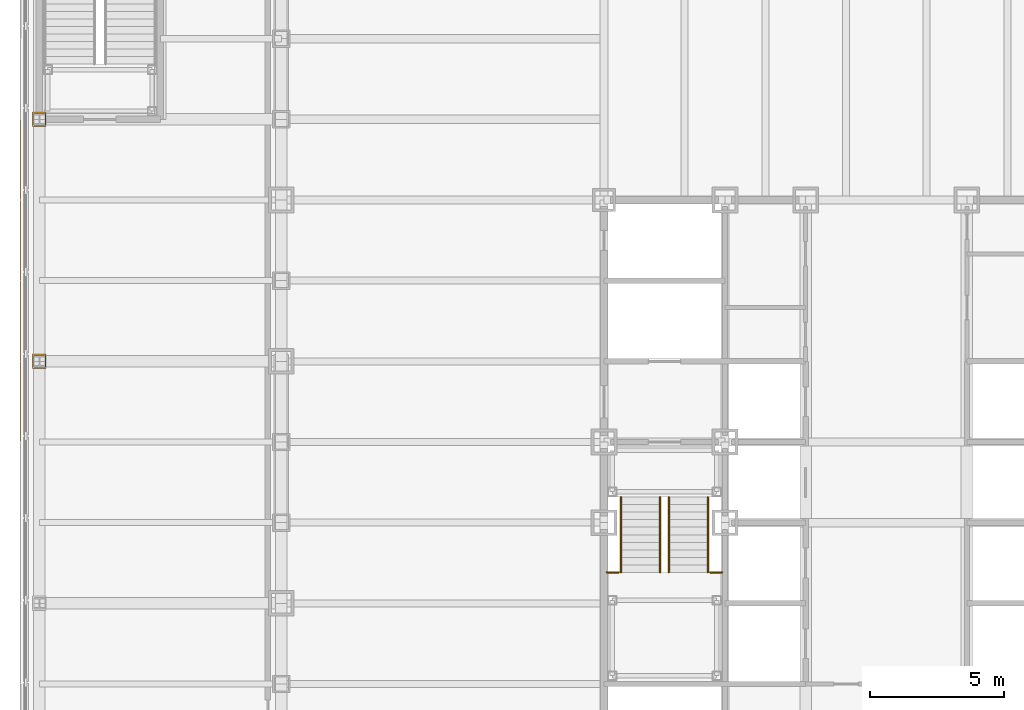
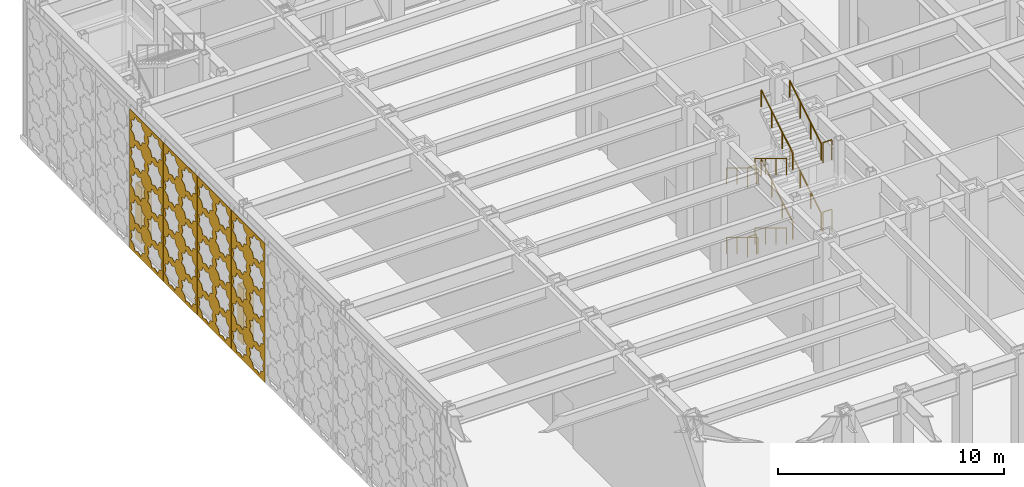
# One storey, part 28 of 34: 12 railings, 4 shading devices, 2 coverings.
"""IFC4 building model written with IfcOpenShell, lengths in metres."""

from ifc_helpers import new_model, si_unit, direction, frame, origin, origin_2d, place, context, subcontext, project, spatial, polyline, circle, outline, extrude, material, layer, layer_set, type_object, element, save


model = new_model("IFC4")

# Units and contexts
model_context = context("Model", 3, precision=1e-05, world=origin(), true_north=direction((0.0, 1.0)))
body_context = subcontext(model_context, "Body", "Model", "MODEL_VIEW")
ifc_project = project(units=[si_unit("LENGTHUNIT", "METRE"), si_unit("AREAUNIT", "SQUARE_METRE"), si_unit("VOLUMEUNIT", "CUBIC_METRE"), si_unit("PLANEANGLEUNIT", "RADIAN"), si_unit("MASSUNIT", "GRAM", prefix="KILO")], contexts=[model_context])

# Site, building, storey
site_placement = place(None, origin())
site = spatial("IfcSite", under=ifc_project, at=site_placement, CompositionType="ELEMENT")
building_placement = place(site_placement, origin())
building = spatial("IfcBuilding", under=site, at=building_placement, Name="Chuquiago Exchange Tower", CompositionType="ELEMENT")
storey_placement = place(building_placement, frame((0.0, 0.0, 6.0)))
storey = spatial("IfcBuildingStorey", under=building, at=storey_placement, Name="L01", CompositionType="ELEMENT", Elevation=6.0)

# Coverings
ifc_material_1 = material(Name="Pale metal sheet casing on rails", Category="aluminium")
ifc_layer_1 = layer(ifc_material_1, 0.050048828125)
ifc_layer_set_1 = layer_set([ifc_layer_1], Name="CS1 column casing 50")
covering_type = type_object("IfcCoveringType", Name="CS1 column casing 50", PredefinedType="CLADDING", material=ifc_layer_set_1)
covering_1_placement = place(storey_placement, origin())
element("IfcCovering", 1, at=covering_1_placement, inside=storey, type_object=covering_type, Name="Column casing L01", PredefinedType="CLADDING", context=body_context, shape_type="SweptSolid", body=[
    extrude(outline(polyline([(-9.255615234375, 26.73291015625), (-8.744384765625, 26.73291015625), (-8.744384765625, 27.26708984375), (-9.255615234375, 27.26708984375), (-9.255615234375, 26.73291015625)]), holes=[polyline([(-9.205810546875, 26.78271484375), (-9.205810546875, 27.21728515625), (-8.794189453125, 27.21728515625), (-8.794189453125, 26.78271484375), (-9.205810546875, 26.78271484375)])]), origin(), (0.0, 0.0, 1.0), 3.0),
])
covering_2_placement = place(storey_placement, origin())
element("IfcCovering", 2, at=covering_2_placement, inside=storey, type_object=covering_type, Name="Column casing L01", PredefinedType="CLADDING", context=body_context, shape_type="SweptSolid", body=[
    extrude(outline(polyline([(-9.255615234375, 35.73291015625), (-8.744384765625, 35.73291015625), (-8.744384765625, 36.26708984375), (-9.255615234375, 36.26708984375), (-9.255615234375, 35.73291015625)]), holes=[polyline([(-9.205810546875, 35.78271484375), (-9.205810546875, 36.21728515625), (-8.794189453125, 36.21728515625), (-8.794189453125, 35.78271484375), (-9.205810546875, 35.78271484375)])]), origin(), (0.0, 0.0, 1.0), 3.0),
])

# Railings
ifc_material_2 = material(Name="Pale metal guard with safety glass infill", Category="glass")
railing_type_1 = type_object("IfcRailingType", Name="GR1 guard 1100", PredefinedType="GUARDRAIL", material=ifc_material_2)
for number, where, name in (
    (3, (12.10009765625, 19.14990234375, 1.875), "Guard ST1 L01 landing 2"),
    (4, (15.945068359375, 19.14990234375, 1.875), "Guard ST1 L01 landing 2"),
    (5, (12.10009765625, 19.14990234375, 5.625), "Guard ST1 L01 landing 4"),
    (6, (15.945068359375, 19.14990234375, 5.625), "Guard ST1 L01 landing 4"),
):
    element("IfcRailing", number, at=place(storey_placement, frame(where)), inside=storey, type_object=railing_type_1, Name=name, PredefinedType="GUARDRAIL", context=body_context, shape_type="SweptSolid", body=[
        extrude(circle(Radius=0.02392578125, at=origin_2d()), frame((0.0, 0.0, 1.076171875), z_axis=(1.0, 0.0, 0.0), x_axis=(0.0, 1.0, 0.0)), (0.0, 0.0, 1.0), 0.454833984375),
        extrude(circle(Radius=0.02099609375, at=origin_2d()), origin(), (0.0, 0.0, 1.0), 1.052001953125),
        extrude(circle(Radius=0.02099609375, at=origin_2d()), frame((0.454833984375, 0.0, 0.0)), (0.0, 0.0, 1.0), 1.052001953125),
    ])
ifc_material_3 = material(Name="Pale metal handrail", Category="steel")
railing_type_2 = type_object("IfcRailingType", Name="HR1 handrail 900", PredefinedType="HANDRAIL", material=ifc_material_3)
for number, where, name in (
    (7, (12.635009765625, 21.949951171875, 0.17041015625), "Handrail ST1 L01 flight 1"),
    (8, (14.0849609375, 21.949951171875, 0.17041015625), "Handrail ST1 L01 flight 1"),
):
    element("IfcRailing", number, at=place(storey_placement, frame(where)), inside=storey, type_object=railing_type_2, Name=name, PredefinedType="HANDRAIL", context=body_context, shape_type="SweptSolid", body=[
        extrude(circle(Radius=0.02392578125, at=origin_2d()), frame((0.0, 0.0, 0.8759765625), z_axis=(0.0, -0.854169791009, 0.51999420009), x_axis=(1.0, 0.0, 0.0)), (0.0, 0.0, 1.0), 3.278076171875),
        extrude(circle(Radius=0.02099609375, at=origin_2d()), origin(), (0.0, 0.0, 1.0), 0.851806640625),
        extrude(circle(Radius=0.02099609375, at=origin_2d()), frame((0.0, -0.933349609375, 0.568115234375)), (0.0, 0.0, 1.0), 0.851806640625),
        extrude(circle(Radius=0.02099609375, at=origin_2d()), frame((0.0, -1.86669921875, 1.136474609375)), (0.0, 0.0, 1.0), 0.851806640625),
        extrude(circle(Radius=0.02099609375, at=origin_2d()), frame((0.0, -2.800048828125, 1.70458984375)), (0.0, 0.0, 1.0), 0.851806640625),
    ])
for number, where, name in (
    (9, (15.864990234375, 19.14990234375, 2.04541015625), "Handrail ST1 L01 flight 2"),
    (10, (14.4150390625, 19.14990234375, 2.04541015625), "Handrail ST1 L01 flight 2"),
):
    element("IfcRailing", number, at=place(storey_placement, frame(where)), inside=storey, type_object=railing_type_2, Name=name, PredefinedType="HANDRAIL", context=body_context, shape_type="SweptSolid", body=[
        extrude(circle(Radius=0.02392578125, at=origin_2d()), frame((0.0, 0.0, 0.8759765625), z_axis=(0.0, 0.854169791009, 0.51999420009), x_axis=(-1.0, 0.0, 0.0)), (0.0, 0.0, 1.0), 3.278076171875),
        extrude(circle(Radius=0.02099609375, at=origin_2d()), origin(), (0.0, 0.0, 1.0), 0.851806640625),
        extrude(circle(Radius=0.02099609375, at=origin_2d()), frame((0.0, 0.933349609375, 0.568115234375)), (0.0, 0.0, 1.0), 0.851806640625),
        extrude(circle(Radius=0.02099609375, at=origin_2d()), frame((0.0, 1.86669921875, 1.136474609375)), (0.0, 0.0, 1.0), 0.851806640625),
        extrude(circle(Radius=0.02099609375, at=origin_2d()), frame((0.0, 2.800048828125, 1.70458984375)), (0.0, 0.0, 1.0), 0.851806640625),
    ])
for number, where, name in (
    (11, (12.635009765625, 21.949951171875, 3.92041015625), "Handrail ST1 L01 flight 3"),
    (12, (14.0849609375, 21.949951171875, 3.92041015625), "Handrail ST1 L01 flight 3"),
):
    element("IfcRailing", number, at=place(storey_placement, frame(where)), inside=storey, type_object=railing_type_2, Name=name, PredefinedType="HANDRAIL", context=body_context, shape_type="SweptSolid", body=[
        extrude(circle(Radius=0.02392578125, at=origin_2d()), frame((0.0, 0.0, 0.8759765625), z_axis=(0.0, -0.854169791009, 0.51999420009), x_axis=(1.0, 0.0, 0.0)), (0.0, 0.0, 1.0), 3.278076171875),
        extrude(circle(Radius=0.02099609375, at=origin_2d()), origin(), (0.0, 0.0, 1.0), 0.851806640625),
        extrude(circle(Radius=0.02099609375, at=origin_2d()), frame((0.0, -0.933349609375, 0.568115234375)), (0.0, 0.0, 1.0), 0.851806640625),
        extrude(circle(Radius=0.02099609375, at=origin_2d()), frame((0.0, -1.86669921875, 1.136474609375)), (0.0, 0.0, 1.0), 0.851806640625),
        extrude(circle(Radius=0.02099609375, at=origin_2d()), frame((0.0, -2.800048828125, 1.70458984375)), (0.0, 0.0, 1.0), 0.851806640625),
    ])
for number, where, name in (
    (13, (15.864990234375, 19.14990234375, 5.79541015625), "Handrail ST1 L01 flight 4"),
    (14, (14.4150390625, 19.14990234375, 5.79541015625), "Handrail ST1 L01 flight 4"),
):
    element("IfcRailing", number, at=place(storey_placement, frame(where)), inside=storey, type_object=railing_type_2, Name=name, PredefinedType="HANDRAIL", context=body_context, shape_type="SweptSolid", body=[
        extrude(circle(Radius=0.02392578125, at=origin_2d()), frame((0.0, 0.0, 0.8759765625), z_axis=(0.0, 0.854169791009, 0.51999420009), x_axis=(-1.0, 0.0, 0.0)), (0.0, 0.0, 1.0), 3.278076171875),
        extrude(circle(Radius=0.02099609375, at=origin_2d()), origin(), (0.0, 0.0, 1.0), 0.851806640625),
        extrude(circle(Radius=0.02099609375, at=origin_2d()), frame((0.0, 0.933349609375, 0.568115234375)), (0.0, 0.0, 1.0), 0.851806640625),
        extrude(circle(Radius=0.02099609375, at=origin_2d()), frame((0.0, 1.86669921875, 1.136474609375)), (0.0, 0.0, 1.0), 0.851806640625),
        extrude(circle(Radius=0.02099609375, at=origin_2d()), frame((0.0, 2.800048828125, 1.70458984375)), (0.0, 0.0, 1.0), 0.851806640625),
    ])

# Shading devices
ifc_material_4 = material(Name="Pale metal, perforated in an eight-point star pattern", Category="aluminium")
ifc_layer_2 = layer(ifc_material_4, 0.02001953125)
ifc_layer_set_2 = layer_set([ifc_layer_2], Name="SC1 mashrabiya screen 20")
shading_device_type = type_object("IfcShadingDeviceType", Name="SC1 mashrabiya screen 20", PredefinedType="SHUTTER", material=ifc_layer_set_2)
shading_device_1_placement = place(storey_placement, frame((-9.699951171875, 26.989990234375, -0.199951171875), z_axis=(0.0, 0.0, 1.0), x_axis=(0.0, -1.0, 0.0)))
element("IfcShadingDevice", 15, at=shading_device_1_placement, inside=storey, type_object=shading_device_type, Name="Mashrabiya screen L01 W 15", PredefinedType="SHUTTER", context=body_context, shape_type="SweptSolid", body=[
    extrude(outline(polyline([(0.0, 0.0), (2.97998046875, 0.0), (2.97998046875, 7.5), (0.0, 7.5), (0.0, 0.0)]), holes=[polyline([(1.26953125, 0.77001953125), (1.378173828125, 1.0322265625), (1.115966796875, 1.140869140625), (1.00732421875, 1.403076171875), (0.7451171875, 1.29443359375), (0.482666015625, 1.403076171875), (0.3740234375, 1.140869140625), (0.11181640625, 1.0322265625), (0.220458984375, 0.77001953125), (0.11181640625, 0.507568359375), (0.3740234375, 0.39892578125), (0.482666015625, 0.13671875), (0.7451171875, 0.245361328125), (1.00732421875, 0.13671875), (1.115966796875, 0.39892578125), (1.378173828125, 0.507568359375), (1.26953125, 0.77001953125)]), polyline([(2.759521484375, 0.77001953125), (2.8681640625, 1.0322265625), (2.60595703125, 1.140869140625), (2.497314453125, 1.403076171875), (2.235107421875, 1.29443359375), (1.97265625, 1.403076171875), (1.864013671875, 1.140869140625), (1.601806640625, 1.0322265625), (1.71044921875, 0.77001953125), (1.601806640625, 0.507568359375), (1.864013671875, 0.39892578125), (1.97265625, 0.13671875), (2.235107421875, 0.245361328125), (2.497314453125, 0.13671875), (2.60595703125, 0.39892578125), (2.8681640625, 0.507568359375), (2.759521484375, 0.77001953125)]), polyline([(1.26953125, 2.260009765625), (1.378173828125, 2.522216796875), (1.115966796875, 2.630859375), (1.00732421875, 2.89306640625), (0.7451171875, 2.78466796875), (0.482666015625, 2.89306640625), (0.3740234375, 2.630859375), (0.11181640625, 2.522216796875), (0.220458984375, 2.260009765625), (0.11181640625, 1.99755859375), (0.3740234375, 1.888916015625), (0.482666015625, 1.626708984375), (0.7451171875, 1.7353515625), (1.00732421875, 1.626708984375), (1.115966796875, 1.888916015625), (1.378173828125, 1.99755859375), (1.26953125, 2.260009765625)]), polyline([(2.759521484375, 2.260009765625), (2.8681640625, 2.522216796875), (2.60595703125, 2.630859375), (2.497314453125, 2.89306640625), (2.235107421875, 2.78466796875), (1.97265625, 2.89306640625), (1.864013671875, 2.630859375), (1.601806640625, 2.522216796875), (1.71044921875, 2.260009765625), (1.601806640625, 1.99755859375), (1.864013671875, 1.888916015625), (1.97265625, 1.626708984375), (2.235107421875, 1.7353515625), (2.497314453125, 1.626708984375), (2.60595703125, 1.888916015625), (2.8681640625, 1.99755859375), (2.759521484375, 2.260009765625)]), polyline([(1.26953125, 3.75), (1.378173828125, 4.01220703125), (1.115966796875, 4.120849609375), (1.00732421875, 4.383056640625), (0.7451171875, 4.274658203125), (0.482666015625, 4.383056640625), (0.3740234375, 4.120849609375), (0.11181640625, 4.01220703125), (0.220458984375, 3.75), (0.11181640625, 3.487548828125), (0.3740234375, 3.37890625), (0.482666015625, 3.11669921875), (0.7451171875, 3.225341796875), (1.00732421875, 3.11669921875), (1.115966796875, 3.37890625), (1.378173828125, 3.487548828125), (1.26953125, 3.75)]), polyline([(2.759521484375, 3.75), (2.8681640625, 4.01220703125), (2.60595703125, 4.120849609375), (2.497314453125, 4.383056640625), (2.235107421875, 4.274658203125), (1.97265625, 4.383056640625), (1.864013671875, 4.120849609375), (1.601806640625, 4.01220703125), (1.71044921875, 3.75), (1.601806640625, 3.487548828125), (1.864013671875, 3.37890625), (1.97265625, 3.11669921875), (2.235107421875, 3.225341796875), (2.497314453125, 3.11669921875), (2.60595703125, 3.37890625), (2.8681640625, 3.487548828125), (2.759521484375, 3.75)]), polyline([(1.26953125, 5.239990234375), (1.378173828125, 5.502197265625), (1.115966796875, 5.61083984375), (1.00732421875, 5.873046875), (0.7451171875, 5.7646484375), (0.482666015625, 5.873046875), (0.3740234375, 5.61083984375), (0.11181640625, 5.502197265625), (0.220458984375, 5.239990234375), (0.11181640625, 4.9775390625), (0.3740234375, 4.868896484375), (0.482666015625, 4.606689453125), (0.7451171875, 4.71533203125), (1.00732421875, 4.606689453125), (1.115966796875, 4.868896484375), (1.378173828125, 4.9775390625), (1.26953125, 5.239990234375)]), polyline([(2.759521484375, 5.239990234375), (2.8681640625, 5.502197265625), (2.60595703125, 5.61083984375), (2.497314453125, 5.873046875), (2.235107421875, 5.7646484375), (1.97265625, 5.873046875), (1.864013671875, 5.61083984375), (1.601806640625, 5.502197265625), (1.71044921875, 5.239990234375), (1.601806640625, 4.9775390625), (1.864013671875, 4.868896484375), (1.97265625, 4.606689453125), (2.235107421875, 4.71533203125), (2.497314453125, 4.606689453125), (2.60595703125, 4.868896484375), (2.8681640625, 4.9775390625), (2.759521484375, 5.239990234375)]), polyline([(1.26953125, 6.72998046875), (1.378173828125, 6.9921875), (1.115966796875, 7.100830078125), (1.00732421875, 7.363037109375), (0.7451171875, 7.254638671875), (0.482666015625, 7.363037109375), (0.3740234375, 7.100830078125), (0.11181640625, 6.9921875), (0.220458984375, 6.72998046875), (0.11181640625, 6.467529296875), (0.3740234375, 6.35888671875), (0.482666015625, 6.0966796875), (0.7451171875, 6.205322265625), (1.00732421875, 6.0966796875), (1.115966796875, 6.35888671875), (1.378173828125, 6.467529296875), (1.26953125, 6.72998046875)]), polyline([(2.759521484375, 6.72998046875), (2.8681640625, 6.9921875), (2.60595703125, 7.100830078125), (2.497314453125, 7.363037109375), (2.235107421875, 7.254638671875), (1.97265625, 7.363037109375), (1.864013671875, 7.100830078125), (1.601806640625, 6.9921875), (1.71044921875, 6.72998046875), (1.601806640625, 6.467529296875), (1.864013671875, 6.35888671875), (1.97265625, 6.0966796875), (2.235107421875, 6.205322265625), (2.497314453125, 6.0966796875), (2.60595703125, 6.35888671875), (2.8681640625, 6.467529296875), (2.759521484375, 6.72998046875)])]), frame((0.0, 0.0, 0.0), z_axis=(0.0, -1.0, 0.0), x_axis=(1.0, 0.0, 0.0)), (0.0, 0.0, 1.0), 0.02001953125),
])
shading_device_2_placement = place(storey_placement, frame((-9.699951171875, 29.989990234375, -0.199951171875), z_axis=(0.0, 0.0, 1.0), x_axis=(0.0, -1.0, 0.0)))
element("IfcShadingDevice", 16, at=shading_device_2_placement, inside=storey, type_object=shading_device_type, Name="Mashrabiya screen L01 W 16", PredefinedType="SHUTTER", context=body_context, shape_type="SweptSolid", body=[
    extrude(outline(polyline([(0.0, 0.0), (2.97998046875, 0.0), (2.97998046875, 7.5), (0.0, 7.5), (0.0, 0.0)]), holes=[polyline([(1.26953125, 0.77001953125), (1.378173828125, 1.0322265625), (1.115966796875, 1.140869140625), (1.00732421875, 1.403076171875), (0.7451171875, 1.29443359375), (0.482666015625, 1.403076171875), (0.3740234375, 1.140869140625), (0.11181640625, 1.0322265625), (0.220458984375, 0.77001953125), (0.11181640625, 0.507568359375), (0.3740234375, 0.39892578125), (0.482666015625, 0.13671875), (0.7451171875, 0.245361328125), (1.00732421875, 0.13671875), (1.115966796875, 0.39892578125), (1.378173828125, 0.507568359375), (1.26953125, 0.77001953125)]), polyline([(2.759521484375, 0.77001953125), (2.8681640625, 1.0322265625), (2.60595703125, 1.140869140625), (2.497314453125, 1.403076171875), (2.235107421875, 1.29443359375), (1.97265625, 1.403076171875), (1.864013671875, 1.140869140625), (1.601806640625, 1.0322265625), (1.71044921875, 0.77001953125), (1.601806640625, 0.507568359375), (1.864013671875, 0.39892578125), (1.97265625, 0.13671875), (2.235107421875, 0.245361328125), (2.497314453125, 0.13671875), (2.60595703125, 0.39892578125), (2.8681640625, 0.507568359375), (2.759521484375, 0.77001953125)]), polyline([(1.26953125, 2.260009765625), (1.378173828125, 2.522216796875), (1.115966796875, 2.630859375), (1.00732421875, 2.89306640625), (0.7451171875, 2.78466796875), (0.482666015625, 2.89306640625), (0.3740234375, 2.630859375), (0.11181640625, 2.522216796875), (0.220458984375, 2.260009765625), (0.11181640625, 1.99755859375), (0.3740234375, 1.888916015625), (0.482666015625, 1.626708984375), (0.7451171875, 1.7353515625), (1.00732421875, 1.626708984375), (1.115966796875, 1.888916015625), (1.378173828125, 1.99755859375), (1.26953125, 2.260009765625)]), polyline([(2.759521484375, 2.260009765625), (2.8681640625, 2.522216796875), (2.60595703125, 2.630859375), (2.497314453125, 2.89306640625), (2.235107421875, 2.78466796875), (1.97265625, 2.89306640625), (1.864013671875, 2.630859375), (1.601806640625, 2.522216796875), (1.71044921875, 2.260009765625), (1.601806640625, 1.99755859375), (1.864013671875, 1.888916015625), (1.97265625, 1.626708984375), (2.235107421875, 1.7353515625), (2.497314453125, 1.626708984375), (2.60595703125, 1.888916015625), (2.8681640625, 1.99755859375), (2.759521484375, 2.260009765625)]), polyline([(1.26953125, 3.75), (1.378173828125, 4.01220703125), (1.115966796875, 4.120849609375), (1.00732421875, 4.383056640625), (0.7451171875, 4.274658203125), (0.482666015625, 4.383056640625), (0.3740234375, 4.120849609375), (0.11181640625, 4.01220703125), (0.220458984375, 3.75), (0.11181640625, 3.487548828125), (0.3740234375, 3.37890625), (0.482666015625, 3.11669921875), (0.7451171875, 3.225341796875), (1.00732421875, 3.11669921875), (1.115966796875, 3.37890625), (1.378173828125, 3.487548828125), (1.26953125, 3.75)]), polyline([(2.759521484375, 3.75), (2.8681640625, 4.01220703125), (2.60595703125, 4.120849609375), (2.497314453125, 4.383056640625), (2.235107421875, 4.274658203125), (1.97265625, 4.383056640625), (1.864013671875, 4.120849609375), (1.601806640625, 4.01220703125), (1.71044921875, 3.75), (1.601806640625, 3.487548828125), (1.864013671875, 3.37890625), (1.97265625, 3.11669921875), (2.235107421875, 3.225341796875), (2.497314453125, 3.11669921875), (2.60595703125, 3.37890625), (2.8681640625, 3.487548828125), (2.759521484375, 3.75)]), polyline([(1.26953125, 5.239990234375), (1.378173828125, 5.502197265625), (1.115966796875, 5.61083984375), (1.00732421875, 5.873046875), (0.7451171875, 5.7646484375), (0.482666015625, 5.873046875), (0.3740234375, 5.61083984375), (0.11181640625, 5.502197265625), (0.220458984375, 5.239990234375), (0.11181640625, 4.9775390625), (0.3740234375, 4.868896484375), (0.482666015625, 4.606689453125), (0.7451171875, 4.71533203125), (1.00732421875, 4.606689453125), (1.115966796875, 4.868896484375), (1.378173828125, 4.9775390625), (1.26953125, 5.239990234375)]), polyline([(2.759521484375, 5.239990234375), (2.8681640625, 5.502197265625), (2.60595703125, 5.61083984375), (2.497314453125, 5.873046875), (2.235107421875, 5.7646484375), (1.97265625, 5.873046875), (1.864013671875, 5.61083984375), (1.601806640625, 5.502197265625), (1.71044921875, 5.239990234375), (1.601806640625, 4.9775390625), (1.864013671875, 4.868896484375), (1.97265625, 4.606689453125), (2.235107421875, 4.71533203125), (2.497314453125, 4.606689453125), (2.60595703125, 4.868896484375), (2.8681640625, 4.9775390625), (2.759521484375, 5.239990234375)]), polyline([(1.26953125, 6.72998046875), (1.378173828125, 6.9921875), (1.115966796875, 7.100830078125), (1.00732421875, 7.363037109375), (0.7451171875, 7.254638671875), (0.482666015625, 7.363037109375), (0.3740234375, 7.100830078125), (0.11181640625, 6.9921875), (0.220458984375, 6.72998046875), (0.11181640625, 6.467529296875), (0.3740234375, 6.35888671875), (0.482666015625, 6.0966796875), (0.7451171875, 6.205322265625), (1.00732421875, 6.0966796875), (1.115966796875, 6.35888671875), (1.378173828125, 6.467529296875), (1.26953125, 6.72998046875)]), polyline([(2.759521484375, 6.72998046875), (2.8681640625, 6.9921875), (2.60595703125, 7.100830078125), (2.497314453125, 7.363037109375), (2.235107421875, 7.254638671875), (1.97265625, 7.363037109375), (1.864013671875, 7.100830078125), (1.601806640625, 6.9921875), (1.71044921875, 6.72998046875), (1.601806640625, 6.467529296875), (1.864013671875, 6.35888671875), (1.97265625, 6.0966796875), (2.235107421875, 6.205322265625), (2.497314453125, 6.0966796875), (2.60595703125, 6.35888671875), (2.8681640625, 6.467529296875), (2.759521484375, 6.72998046875)])]), frame((0.0, 0.0, 0.0), z_axis=(0.0, -1.0, 0.0), x_axis=(1.0, 0.0, 0.0)), (0.0, 0.0, 1.0), 0.02001953125),
])
shading_device_3_placement = place(storey_placement, frame((-9.699951171875, 32.989990234375, -0.199951171875), z_axis=(0.0, 0.0, 1.0), x_axis=(0.0, -1.0, 0.0)))
element("IfcShadingDevice", 17, at=shading_device_3_placement, inside=storey, type_object=shading_device_type, Name="Mashrabiya screen L01 W 17", PredefinedType="SHUTTER", context=body_context, shape_type="SweptSolid", body=[
    extrude(outline(polyline([(0.0, 0.0), (2.97998046875, 0.0), (2.97998046875, 7.5), (0.0, 7.5), (0.0, 0.0)]), holes=[polyline([(1.26953125, 0.77001953125), (1.378173828125, 1.0322265625), (1.115966796875, 1.140869140625), (1.00732421875, 1.403076171875), (0.7451171875, 1.29443359375), (0.482666015625, 1.403076171875), (0.3740234375, 1.140869140625), (0.11181640625, 1.0322265625), (0.220458984375, 0.77001953125), (0.11181640625, 0.507568359375), (0.3740234375, 0.39892578125), (0.482666015625, 0.13671875), (0.7451171875, 0.245361328125), (1.00732421875, 0.13671875), (1.115966796875, 0.39892578125), (1.378173828125, 0.507568359375), (1.26953125, 0.77001953125)]), polyline([(2.759521484375, 0.77001953125), (2.8681640625, 1.0322265625), (2.60595703125, 1.140869140625), (2.497314453125, 1.403076171875), (2.235107421875, 1.29443359375), (1.97265625, 1.403076171875), (1.864013671875, 1.140869140625), (1.601806640625, 1.0322265625), (1.71044921875, 0.77001953125), (1.601806640625, 0.507568359375), (1.864013671875, 0.39892578125), (1.97265625, 0.13671875), (2.235107421875, 0.245361328125), (2.497314453125, 0.13671875), (2.60595703125, 0.39892578125), (2.8681640625, 0.507568359375), (2.759521484375, 0.77001953125)]), polyline([(1.26953125, 2.260009765625), (1.378173828125, 2.522216796875), (1.115966796875, 2.630859375), (1.00732421875, 2.89306640625), (0.7451171875, 2.78466796875), (0.482666015625, 2.89306640625), (0.3740234375, 2.630859375), (0.11181640625, 2.522216796875), (0.220458984375, 2.260009765625), (0.11181640625, 1.99755859375), (0.3740234375, 1.888916015625), (0.482666015625, 1.626708984375), (0.7451171875, 1.7353515625), (1.00732421875, 1.626708984375), (1.115966796875, 1.888916015625), (1.378173828125, 1.99755859375), (1.26953125, 2.260009765625)]), polyline([(2.759521484375, 2.260009765625), (2.8681640625, 2.522216796875), (2.60595703125, 2.630859375), (2.497314453125, 2.89306640625), (2.235107421875, 2.78466796875), (1.97265625, 2.89306640625), (1.864013671875, 2.630859375), (1.601806640625, 2.522216796875), (1.71044921875, 2.260009765625), (1.601806640625, 1.99755859375), (1.864013671875, 1.888916015625), (1.97265625, 1.626708984375), (2.235107421875, 1.7353515625), (2.497314453125, 1.626708984375), (2.60595703125, 1.888916015625), (2.8681640625, 1.99755859375), (2.759521484375, 2.260009765625)]), polyline([(1.26953125, 3.75), (1.378173828125, 4.01220703125), (1.115966796875, 4.120849609375), (1.00732421875, 4.383056640625), (0.7451171875, 4.274658203125), (0.482666015625, 4.383056640625), (0.3740234375, 4.120849609375), (0.11181640625, 4.01220703125), (0.220458984375, 3.75), (0.11181640625, 3.487548828125), (0.3740234375, 3.37890625), (0.482666015625, 3.11669921875), (0.7451171875, 3.225341796875), (1.00732421875, 3.11669921875), (1.115966796875, 3.37890625), (1.378173828125, 3.487548828125), (1.26953125, 3.75)]), polyline([(2.759521484375, 3.75), (2.8681640625, 4.01220703125), (2.60595703125, 4.120849609375), (2.497314453125, 4.383056640625), (2.235107421875, 4.274658203125), (1.97265625, 4.383056640625), (1.864013671875, 4.120849609375), (1.601806640625, 4.01220703125), (1.71044921875, 3.75), (1.601806640625, 3.487548828125), (1.864013671875, 3.37890625), (1.97265625, 3.11669921875), (2.235107421875, 3.225341796875), (2.497314453125, 3.11669921875), (2.60595703125, 3.37890625), (2.8681640625, 3.487548828125), (2.759521484375, 3.75)]), polyline([(1.26953125, 5.239990234375), (1.378173828125, 5.502197265625), (1.115966796875, 5.61083984375), (1.00732421875, 5.873046875), (0.7451171875, 5.7646484375), (0.482666015625, 5.873046875), (0.3740234375, 5.61083984375), (0.11181640625, 5.502197265625), (0.220458984375, 5.239990234375), (0.11181640625, 4.9775390625), (0.3740234375, 4.868896484375), (0.482666015625, 4.606689453125), (0.7451171875, 4.71533203125), (1.00732421875, 4.606689453125), (1.115966796875, 4.868896484375), (1.378173828125, 4.9775390625), (1.26953125, 5.239990234375)]), polyline([(2.759521484375, 5.239990234375), (2.8681640625, 5.502197265625), (2.60595703125, 5.61083984375), (2.497314453125, 5.873046875), (2.235107421875, 5.7646484375), (1.97265625, 5.873046875), (1.864013671875, 5.61083984375), (1.601806640625, 5.502197265625), (1.71044921875, 5.239990234375), (1.601806640625, 4.9775390625), (1.864013671875, 4.868896484375), (1.97265625, 4.606689453125), (2.235107421875, 4.71533203125), (2.497314453125, 4.606689453125), (2.60595703125, 4.868896484375), (2.8681640625, 4.9775390625), (2.759521484375, 5.239990234375)]), polyline([(1.26953125, 6.72998046875), (1.378173828125, 6.9921875), (1.115966796875, 7.100830078125), (1.00732421875, 7.363037109375), (0.7451171875, 7.254638671875), (0.482666015625, 7.363037109375), (0.3740234375, 7.100830078125), (0.11181640625, 6.9921875), (0.220458984375, 6.72998046875), (0.11181640625, 6.467529296875), (0.3740234375, 6.35888671875), (0.482666015625, 6.0966796875), (0.7451171875, 6.205322265625), (1.00732421875, 6.0966796875), (1.115966796875, 6.35888671875), (1.378173828125, 6.467529296875), (1.26953125, 6.72998046875)]), polyline([(2.759521484375, 6.72998046875), (2.8681640625, 6.9921875), (2.60595703125, 7.100830078125), (2.497314453125, 7.363037109375), (2.235107421875, 7.254638671875), (1.97265625, 7.363037109375), (1.864013671875, 7.100830078125), (1.601806640625, 6.9921875), (1.71044921875, 6.72998046875), (1.601806640625, 6.467529296875), (1.864013671875, 6.35888671875), (1.97265625, 6.0966796875), (2.235107421875, 6.205322265625), (2.497314453125, 6.0966796875), (2.60595703125, 6.35888671875), (2.8681640625, 6.467529296875), (2.759521484375, 6.72998046875)])]), frame((0.0, 0.0, 0.0), z_axis=(0.0, -1.0, 0.0), x_axis=(1.0, 0.0, 0.0)), (0.0, 0.0, 1.0), 0.02001953125),
])
shading_device_4_placement = place(storey_placement, frame((-9.699951171875, 35.989990234375, -0.199951171875), z_axis=(0.0, 0.0, 1.0), x_axis=(0.0, -1.0, 0.0)))
element("IfcShadingDevice", 18, at=shading_device_4_placement, inside=storey, type_object=shading_device_type, Name="Mashrabiya screen L01 W 18", PredefinedType="SHUTTER", context=body_context, shape_type="SweptSolid", body=[
    extrude(outline(polyline([(0.0, 0.0), (2.97998046875, 0.0), (2.97998046875, 7.5), (0.0, 7.5), (0.0, 0.0)]), holes=[polyline([(1.26953125, 0.77001953125), (1.378173828125, 1.0322265625), (1.115966796875, 1.140869140625), (1.00732421875, 1.403076171875), (0.7451171875, 1.29443359375), (0.482666015625, 1.403076171875), (0.3740234375, 1.140869140625), (0.11181640625, 1.0322265625), (0.220458984375, 0.77001953125), (0.11181640625, 0.507568359375), (0.3740234375, 0.39892578125), (0.482666015625, 0.13671875), (0.7451171875, 0.245361328125), (1.00732421875, 0.13671875), (1.115966796875, 0.39892578125), (1.378173828125, 0.507568359375), (1.26953125, 0.77001953125)]), polyline([(2.759521484375, 0.77001953125), (2.8681640625, 1.0322265625), (2.60595703125, 1.140869140625), (2.497314453125, 1.403076171875), (2.235107421875, 1.29443359375), (1.97265625, 1.403076171875), (1.864013671875, 1.140869140625), (1.601806640625, 1.0322265625), (1.71044921875, 0.77001953125), (1.601806640625, 0.507568359375), (1.864013671875, 0.39892578125), (1.97265625, 0.13671875), (2.235107421875, 0.245361328125), (2.497314453125, 0.13671875), (2.60595703125, 0.39892578125), (2.8681640625, 0.507568359375), (2.759521484375, 0.77001953125)]), polyline([(1.26953125, 2.260009765625), (1.378173828125, 2.522216796875), (1.115966796875, 2.630859375), (1.00732421875, 2.89306640625), (0.7451171875, 2.78466796875), (0.482666015625, 2.89306640625), (0.3740234375, 2.630859375), (0.11181640625, 2.522216796875), (0.220458984375, 2.260009765625), (0.11181640625, 1.99755859375), (0.3740234375, 1.888916015625), (0.482666015625, 1.626708984375), (0.7451171875, 1.7353515625), (1.00732421875, 1.626708984375), (1.115966796875, 1.888916015625), (1.378173828125, 1.99755859375), (1.26953125, 2.260009765625)]), polyline([(2.759521484375, 2.260009765625), (2.8681640625, 2.522216796875), (2.60595703125, 2.630859375), (2.497314453125, 2.89306640625), (2.235107421875, 2.78466796875), (1.97265625, 2.89306640625), (1.864013671875, 2.630859375), (1.601806640625, 2.522216796875), (1.71044921875, 2.260009765625), (1.601806640625, 1.99755859375), (1.864013671875, 1.888916015625), (1.97265625, 1.626708984375), (2.235107421875, 1.7353515625), (2.497314453125, 1.626708984375), (2.60595703125, 1.888916015625), (2.8681640625, 1.99755859375), (2.759521484375, 2.260009765625)]), polyline([(1.26953125, 3.75), (1.378173828125, 4.01220703125), (1.115966796875, 4.120849609375), (1.00732421875, 4.383056640625), (0.7451171875, 4.274658203125), (0.482666015625, 4.383056640625), (0.3740234375, 4.120849609375), (0.11181640625, 4.01220703125), (0.220458984375, 3.75), (0.11181640625, 3.487548828125), (0.3740234375, 3.37890625), (0.482666015625, 3.11669921875), (0.7451171875, 3.225341796875), (1.00732421875, 3.11669921875), (1.115966796875, 3.37890625), (1.378173828125, 3.487548828125), (1.26953125, 3.75)]), polyline([(2.759521484375, 3.75), (2.8681640625, 4.01220703125), (2.60595703125, 4.120849609375), (2.497314453125, 4.383056640625), (2.235107421875, 4.274658203125), (1.97265625, 4.383056640625), (1.864013671875, 4.120849609375), (1.601806640625, 4.01220703125), (1.71044921875, 3.75), (1.601806640625, 3.487548828125), (1.864013671875, 3.37890625), (1.97265625, 3.11669921875), (2.235107421875, 3.225341796875), (2.497314453125, 3.11669921875), (2.60595703125, 3.37890625), (2.8681640625, 3.487548828125), (2.759521484375, 3.75)]), polyline([(1.26953125, 5.239990234375), (1.378173828125, 5.502197265625), (1.115966796875, 5.61083984375), (1.00732421875, 5.873046875), (0.7451171875, 5.7646484375), (0.482666015625, 5.873046875), (0.3740234375, 5.61083984375), (0.11181640625, 5.502197265625), (0.220458984375, 5.239990234375), (0.11181640625, 4.9775390625), (0.3740234375, 4.868896484375), (0.482666015625, 4.606689453125), (0.7451171875, 4.71533203125), (1.00732421875, 4.606689453125), (1.115966796875, 4.868896484375), (1.378173828125, 4.9775390625), (1.26953125, 5.239990234375)]), polyline([(2.759521484375, 5.239990234375), (2.8681640625, 5.502197265625), (2.60595703125, 5.61083984375), (2.497314453125, 5.873046875), (2.235107421875, 5.7646484375), (1.97265625, 5.873046875), (1.864013671875, 5.61083984375), (1.601806640625, 5.502197265625), (1.71044921875, 5.239990234375), (1.601806640625, 4.9775390625), (1.864013671875, 4.868896484375), (1.97265625, 4.606689453125), (2.235107421875, 4.71533203125), (2.497314453125, 4.606689453125), (2.60595703125, 4.868896484375), (2.8681640625, 4.9775390625), (2.759521484375, 5.239990234375)]), polyline([(1.26953125, 6.72998046875), (1.378173828125, 6.9921875), (1.115966796875, 7.100830078125), (1.00732421875, 7.363037109375), (0.7451171875, 7.254638671875), (0.482666015625, 7.363037109375), (0.3740234375, 7.100830078125), (0.11181640625, 6.9921875), (0.220458984375, 6.72998046875), (0.11181640625, 6.467529296875), (0.3740234375, 6.35888671875), (0.482666015625, 6.0966796875), (0.7451171875, 6.205322265625), (1.00732421875, 6.0966796875), (1.115966796875, 6.35888671875), (1.378173828125, 6.467529296875), (1.26953125, 6.72998046875)]), polyline([(2.759521484375, 6.72998046875), (2.8681640625, 6.9921875), (2.60595703125, 7.100830078125), (2.497314453125, 7.363037109375), (2.235107421875, 7.254638671875), (1.97265625, 7.363037109375), (1.864013671875, 7.100830078125), (1.601806640625, 6.9921875), (1.71044921875, 6.72998046875), (1.601806640625, 6.467529296875), (1.864013671875, 6.35888671875), (1.97265625, 6.0966796875), (2.235107421875, 6.205322265625), (2.497314453125, 6.0966796875), (2.60595703125, 6.35888671875), (2.8681640625, 6.467529296875), (2.759521484375, 6.72998046875)])]), frame((0.0, 0.0, 0.0), z_axis=(0.0, -1.0, 0.0), x_axis=(1.0, 0.0, 0.0)), (0.0, 0.0, 1.0), 0.02001953125),
])

save(model, "model.ifc")
